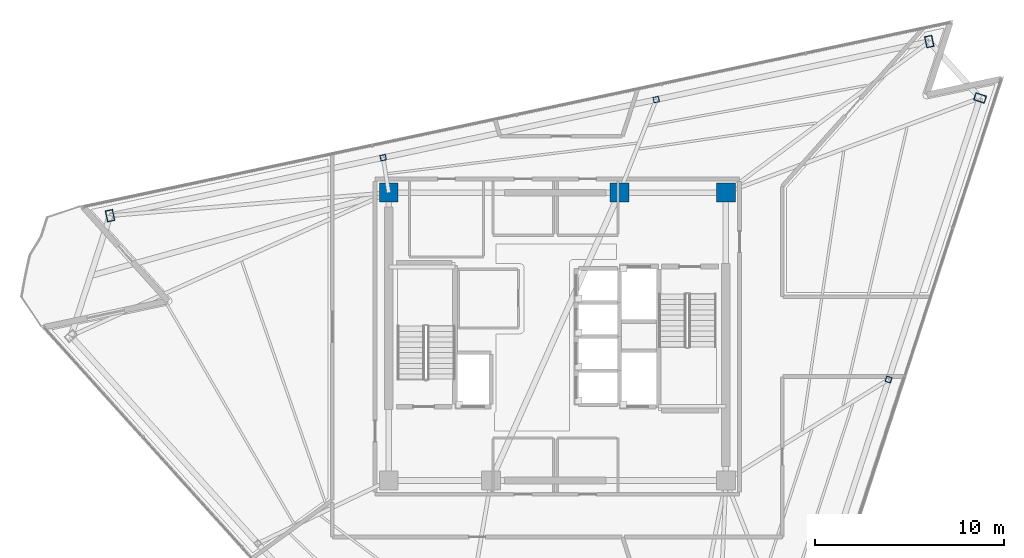
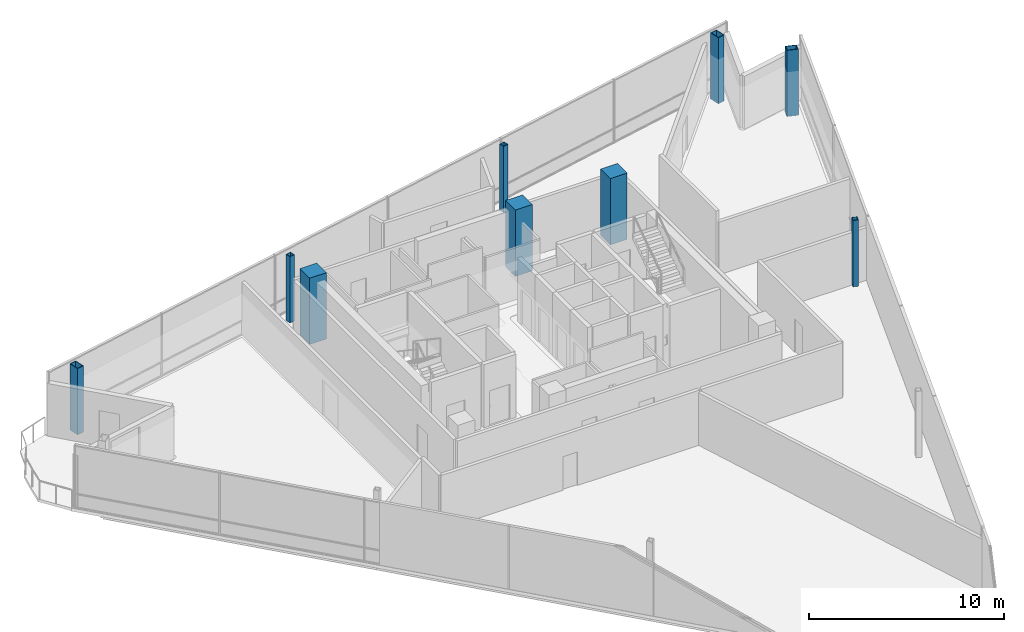
# One storey, part 2 of 16: 9 columns.
"""IFC4 building model written with IfcOpenShell, lengths in metres."""

from ifc_helpers import new_model, si_unit, direction, frame, origin, origin_2d, place, context, subcontext, project, spatial, rectangle, hollow_rectangle, extrude, material, material_profile, profile_set, type_object, element, save


model = new_model("IFC4")

# Units and contexts
model_context = context("Model", 3, precision=1e-05, world=origin(), true_north=direction((0.0, 1.0)))
body_context = subcontext(model_context, "Body", "Model", "MODEL_VIEW")
ifc_project = project(units=[si_unit("LENGTHUNIT", "METRE"), si_unit("AREAUNIT", "SQUARE_METRE"), si_unit("VOLUMEUNIT", "CUBIC_METRE"), si_unit("PLANEANGLEUNIT", "RADIAN"), si_unit("MASSUNIT", "GRAM", prefix="KILO")], contexts=[model_context])

# Site, building, storey
site_placement = place(None, origin())
site = spatial("IfcSite", under=ifc_project, at=site_placement, CompositionType="ELEMENT")
building_placement = place(site_placement, origin())
building = spatial("IfcBuilding", under=site, at=building_placement, Name="Tharavind Bronze Gate", CompositionType="ELEMENT")
storey_placement = place(building_placement, frame((0.0, 0.0, 302.14990234375)))
storey = spatial("IfcBuildingStorey", under=building, at=storey_placement, Name="L78", CompositionType="ELEMENT", Elevation=302.14990234375)

# Columns
ifc_material_1 = material(Name="Steel S460", Category="steel")
ifc_material_profile_1 = material_profile(ifc_material_1, hollow_rectangle(XDim=0.39990234375, YDim=0.60009765625, WallThickness=0.030029296875, at=origin_2d()), Name="RHS600X400X30")
ifc_profile_set_1 = profile_set([ifc_material_profile_1], Name="Steel S460")
column_type_1 = type_object("IfcColumnType", Name="CORNER NOTCH COLUMN RHS600X400", PredefinedType="COLUMN", material=ifc_profile_set_1)
for number, where, z_axis, x_axis, name in (
    (1, (22.319091796875, 12.599609375, 0.0), (0.0, 0.0, 1.0), (0.309018654281, 0.951055976957, 0.0), "L78 perimeter column S2C4"),
    (2, (19.63720703125, 15.578125, 0.0), (0.0, 0.0, 1.0), (0.978147237858, 0.207913398007, 0.0), "L78 perimeter column S3C1"),
    (3, (-23.614501953125, 6.384765625, 0.0), (0.0, 0.0, 1.0), (0.978147237858, 0.207913398007, 0.0), "L78 perimeter column S3C4"),
):
    element("IfcColumn", number, at=place(storey_placement, frame(where, z_axis=z_axis, x_axis=x_axis)), inside=storey, type_object=column_type_1, Name=name, PredefinedType="COLUMN", context=body_context, shape_type="SweptSolid", body=[
        extrude(hollow_rectangle(XDim=0.39990234375, YDim=0.60009765625, WallThickness=0.030029296875, at=origin_2d()), origin(), (0.0, 0.0, 1.0), 4.150146484375),
    ])
ifc_material_2 = material(Name="Concrete C50/60", Category="concrete")
ifc_material_profile_2 = material_profile(ifc_material_2, rectangle(XDim=1.0, YDim=1.0, at=origin_2d()), Name="RCCOL1000")
ifc_profile_set_2 = profile_set([ifc_material_profile_2], Name="Concrete C50/60")
column_type_2 = type_object("IfcColumnType", Name="MEGA CORE COLUMN 1000", PredefinedType="COLUMN", material=ifc_profile_set_2)
for number, where, z_axis, x_axis, name in (
    (4, (8.89990234375, 7.60009765625, 0.0), (0.0, 0.0, 1.0), (1.0, 0.0, 0.0), "L78 core mega column MC4"),
    (5, (3.280029296875, 7.60009765625, 0.0), (0.0, 0.0, 1.0), (1.0, 0.0, 0.0), "L78 core mega column MC5"),
    (6, (-8.89990234375, 7.60009765625, 0.0), (0.0, 0.0, 1.0), (1.0, 0.0, 0.0), "L78 core mega column MC6"),
):
    element("IfcColumn", number, at=place(storey_placement, frame(where, z_axis=z_axis, x_axis=x_axis)), inside=storey, type_object=column_type_2, Name=name, PredefinedType="COLUMN", context=body_context, shape_type="SweptSolid", body=[
        extrude(rectangle(XDim=1.0, YDim=1.0, at=origin_2d()), origin(), (0.0, 0.0, 1.0), 4.150146484375),
    ])
ifc_material_profile_3 = material_profile(ifc_material_1, hollow_rectangle(XDim=0.300048828125, YDim=0.300048828125, WallThickness=0.02001953125, at=origin_2d()), Name="SHS300X20")
ifc_profile_set_3 = profile_set([ifc_material_profile_3], Name="Steel S460")
column_type_3 = type_object("IfcColumnType", Name="PERIMETER BOX COLUMN SHS300", PredefinedType="COLUMN", material=ifc_profile_set_3)
for number, where, z_axis, x_axis, name in (
    (7, (17.4892578125, -2.265380859375, 0.0), (0.0, 0.0, 1.0), (0.309018654281, 0.951055976957, 0.0), "L78 perimeter column S2C3"),
    (8, (5.219970703125, 12.513671875, 0.0), (0.0, 0.0, 1.0), (0.978147237858, 0.207913398007, 0.0), "L78 perimeter column S3C2"),
    (9, (-9.197265625, 9.44921875, 0.0), (0.0, 0.0, 1.0), (0.978147237858, 0.207913398007, 0.0), "L78 perimeter column S3C3"),
):
    element("IfcColumn", number, at=place(storey_placement, frame(where, z_axis=z_axis, x_axis=x_axis)), inside=storey, type_object=column_type_3, Name=name, PredefinedType="COLUMN", context=body_context, shape_type="SweptSolid", body=[
        extrude(hollow_rectangle(XDim=0.300048828125, YDim=0.300048828125, WallThickness=0.02001953125, at=origin_2d()), origin(), (0.0, 0.0, 1.0), 4.150146484375),
    ])

save(model, "model.ifc")
